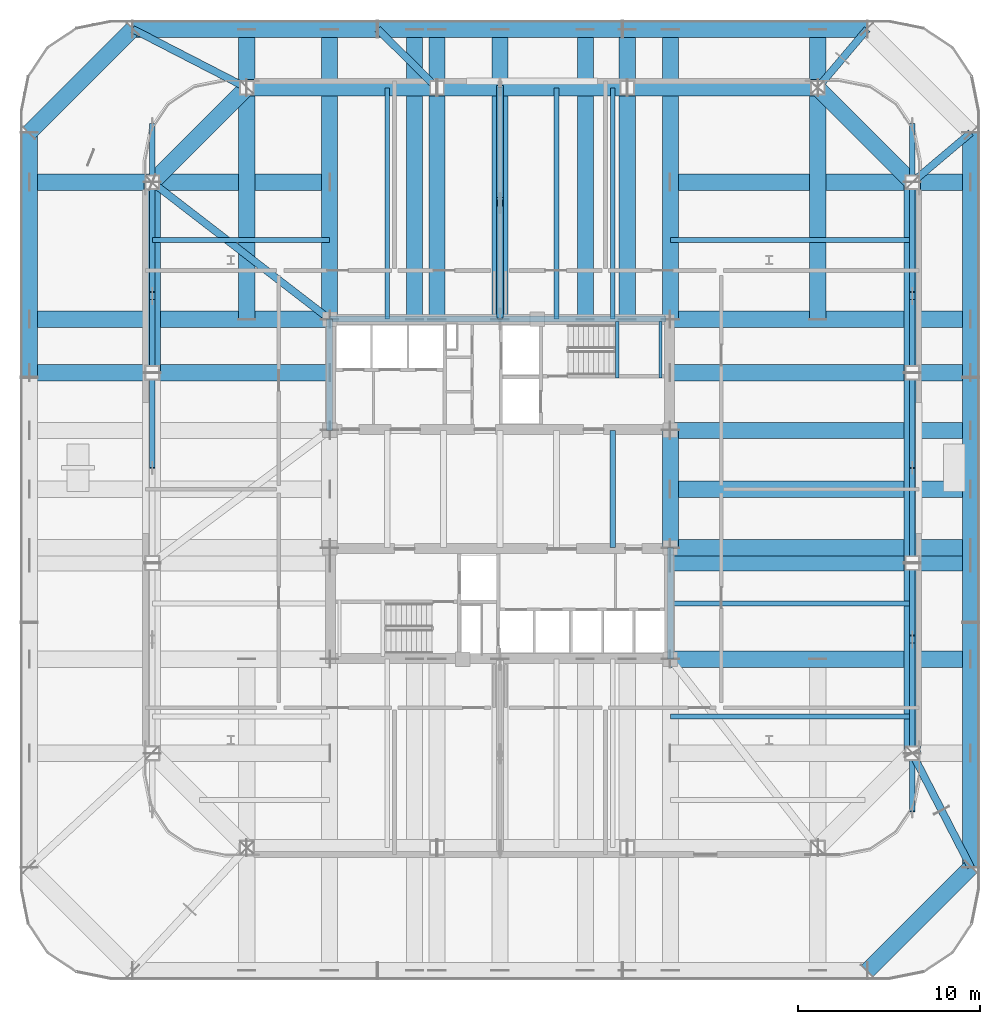
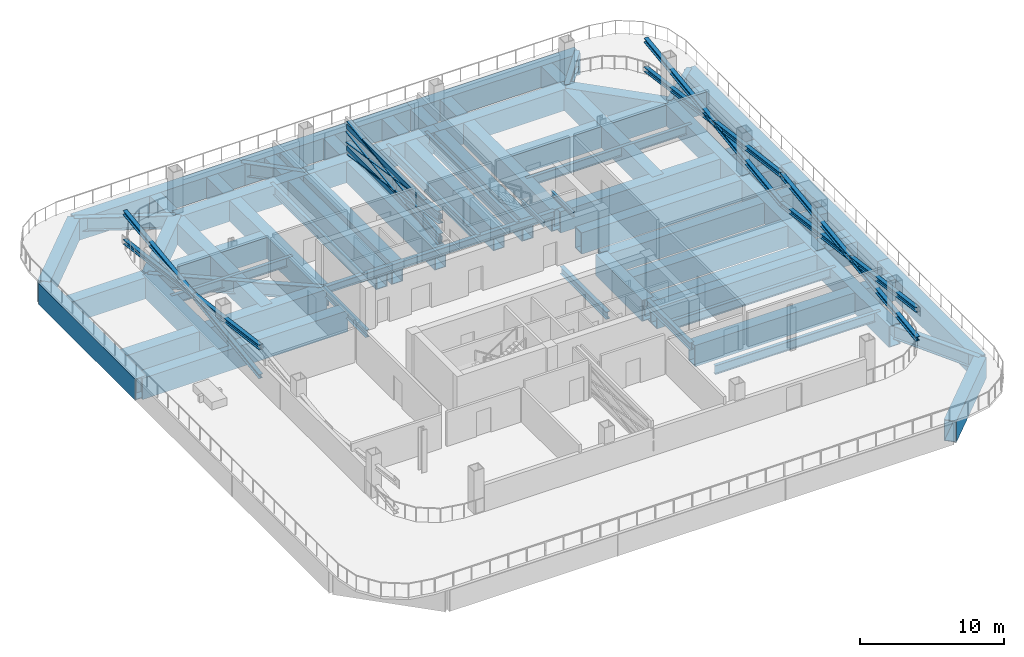
# One storey, part 2 of 16: 58 beams, 14 members.
"""IFC4 building model written with IfcOpenShell, lengths in metres."""

from ifc_helpers import new_model, si_unit, direction, frame, origin, origin_2d, place, context, subcontext, project, spatial, hollow_rectangle, i_section, extrude, material, material_profile, profile_set, type_object, element, save


model = new_model("IFC4")

# Units and contexts
model_context = context("Model", 3, precision=1e-05, world=origin(), true_north=direction((0.0, 1.0)))
body_context = subcontext(model_context, "Body", "Model", "MODEL_VIEW")
ifc_project = project(units=[si_unit("LENGTHUNIT", "METRE"), si_unit("AREAUNIT", "SQUARE_METRE"), si_unit("VOLUMEUNIT", "CUBIC_METRE"), si_unit("PLANEANGLEUNIT", "RADIAN"), si_unit("MASSUNIT", "GRAM", prefix="KILO")], contexts=[model_context])

# Site, building, storey
site_placement = place(None, origin())
site = spatial("IfcSite", under=ifc_project, at=site_placement, CompositionType="ELEMENT")
building_placement = place(site_placement, origin())
building = spatial("IfcBuilding", under=site, at=building_placement, Name="Qhalaya Broadcast Tower", CompositionType="ELEMENT")
storey_placement = place(building_placement, frame((0.0, 0.0, 57.89990234375)))
storey = spatial("IfcBuildingStorey", under=building, at=storey_placement, Name="L16", CompositionType="ELEMENT", Elevation=57.89990234375)

# Members
ifc_material_1 = material(Name="Structural Steel ASTM A572 Grade 50", Category="steel")
ifc_material_profile_1 = material_profile(ifc_material_1, i_section(OverallWidth=0.31298828125, OverallDepth=0.3798828125, WebThickness=0.01806640625, FlangeThickness=0.028076171875, at=origin_2d()), Name="W12X120")
ifc_profile_set_1 = profile_set([ifc_material_profile_1], Name="Structural Steel ASTM A572 Grade 50")
member_type_1 = type_object("IfcMemberType", Name="Belt-Truss Diagonal Brace OB2", PredefinedType="BRACE", material=ifc_profile_set_1)
member_1_placement = place(storey_placement, frame((-19.1298828125, 1.77001953125, 0.4501953125), z_axis=(0.0, 0.991500703308, 0.130101327204), x_axis=(-1.0, 0.0, 0.0)))
element("IfcMember", 1, at=member_1_placement, inside=storey, type_object=member_type_1, Name="L16 Belt Truss Continuous Brace W2A", PredefinedType="BRACE", context=body_context, shape_type="SweptSolid", body=[
    extrude(i_section(OverallWidth=0.31298828125, OverallDepth=0.3798828125, WebThickness=0.01806640625, FlangeThickness=0.028076171875, at=origin_2d()), origin(), (0.0, 0.0, 1.0), 19.06201171875),
])
for number, where, z_axis, x_axis, name in (
    (2, (-19.1298828125, 1.77001953125, 2.93017578125), (0.0, 0.991500106648, -0.130105874258), (-1.0, 0.0, 0.0), "L16 Belt Truss Split Brace W2B1"),
    (3, (-19.1298828125, 11.43798828125, 1.661376953125), (0.0, 0.991503488763, -0.130080097523), (-1.0, 0.0, 0.0), "L16 Belt Truss Split Brace W2B2"),
):
    element("IfcMember", number, at=place(storey_placement, frame(where, z_axis=z_axis, x_axis=x_axis)), inside=storey, type_object=member_type_1, Name=name, PredefinedType="BRACE", context=body_context, shape_type="SweptSolid", body=[
        extrude(i_section(OverallWidth=0.31298828125, OverallDepth=0.3798828125, WebThickness=0.01806640625, FlangeThickness=0.028076171875, at=origin_2d()), origin(), (0.0, 0.0, 1.0), 9.31103515625),
    ])
member_2_placement = place(storey_placement, frame((22.669921875, -17.1298828125, 0.4501953125), z_axis=(0.0, 0.991500703308, 0.130101327204), x_axis=(-1.0, 0.0, 0.0)))
element("IfcMember", 4, at=member_2_placement, inside=storey, type_object=member_type_1, Name="L16 Belt Truss Continuous Brace E1A", PredefinedType="BRACE", context=body_context, shape_type="SweptSolid", body=[
    extrude(i_section(OverallWidth=0.31298828125, OverallDepth=0.3798828125, WebThickness=0.01806640625, FlangeThickness=0.028076171875, at=origin_2d()), origin(), (0.0, 0.0, 1.0), 19.06201171875),
])
member_3_placement = place(storey_placement, frame((22.669921875, -17.1298828125, 2.93017578125), z_axis=(0.0, 0.991499662783, -0.130109256783), x_axis=(-1.0, 0.0, 0.0)))
element("IfcMember", 5, at=member_3_placement, inside=storey, type_object=member_type_1, Name="L16 Belt Truss Split Brace E1B1", PredefinedType="BRACE", context=body_context, shape_type="SweptSolid", body=[
    extrude(i_section(OverallWidth=0.31298828125, OverallDepth=0.3798828125, WebThickness=0.01806640625, FlangeThickness=0.028076171875, at=origin_2d()), origin(), (0.0, 0.0, 1.0), 9.310791015625),
])
member_4_placement = place(storey_placement, frame((22.669921875, -7.4619140625, 1.661376953125), z_axis=(0.0, 0.991503488763, -0.130080097523), x_axis=(-1.0, 0.0, 0.0)))
element("IfcMember", 6, at=member_4_placement, inside=storey, type_object=member_type_1, Name="L16 Belt Truss Split Brace E1B2", PredefinedType="BRACE", context=body_context, shape_type="SweptSolid", body=[
    extrude(i_section(OverallWidth=0.31298828125, OverallDepth=0.3798828125, WebThickness=0.01806640625, FlangeThickness=0.028076171875, at=origin_2d()), origin(), (0.0, 0.0, 1.0), 9.31103515625),
])
member_5_placement = place(storey_placement, frame((22.669921875, 1.77001953125, 0.4501953125), z_axis=(0.0, 0.991500703308, 0.130101327204), x_axis=(-1.0, 0.0, 0.0)))
element("IfcMember", 7, at=member_5_placement, inside=storey, type_object=member_type_1, Name="L16 Belt Truss Continuous Brace E2A", PredefinedType="BRACE", context=body_context, shape_type="SweptSolid", body=[
    extrude(i_section(OverallWidth=0.31298828125, OverallDepth=0.3798828125, WebThickness=0.01806640625, FlangeThickness=0.028076171875, at=origin_2d()), origin(), (0.0, 0.0, 1.0), 19.06201171875),
])
for number, where, z_axis, x_axis, name in (
    (8, (22.669921875, 1.77001953125, 2.93017578125), (0.0, 0.991500106648, -0.130105874258), (-1.0, 0.0, 0.0), "L16 Belt Truss Split Brace E2B1"),
    (9, (22.669921875, 11.43798828125, 1.661376953125), (0.0, 0.991503488763, -0.130080097523), (-1.0, 0.0, 0.0), "L16 Belt Truss Split Brace E2B2"),
):
    element("IfcMember", number, at=place(storey_placement, frame(where, z_axis=z_axis, x_axis=x_axis)), inside=storey, type_object=member_type_1, Name=name, PredefinedType="BRACE", context=body_context, shape_type="SweptSolid", body=[
        extrude(i_section(OverallWidth=0.31298828125, OverallDepth=0.3798828125, WebThickness=0.01806640625, FlangeThickness=0.028076171875, at=origin_2d()), origin(), (0.0, 0.0, 1.0), 9.31103515625),
    ])

# Beams
ifc_material_profile_2 = material_profile(ifc_material_1, hollow_rectangle(XDim=0.89990234375, YDim=1.800048828125, WallThickness=0.06005859375, at=origin_2d()), Name="BOX 900x1800x60")
ifc_profile_set_2 = profile_set([ifc_material_profile_2], Name="Structural Steel ASTM A572 Grade 50")
beam_type_1 = type_object("IfcBeamType", Name="Block Cantilever Transfer Box Girder TG1", PredefinedType="USERDEFINED", material=ifc_profile_set_2)
beam_1_placement = place(storey_placement, frame((22.669921875, -13.929931640625, -1.179931640625), z_axis=(0.0, 1.0, 0.0), x_axis=(-1.0, 0.0, 0.0)))
element("IfcBeam", 10, at=beam_1_placement, inside=storey, type_object=beam_type_1, Name="L16 TG1 L16-SPR-05", ObjectType="GIRDER", PredefinedType="USERDEFINED", context=body_context, shape_type="SweptSolid", body=[
    extrude(hollow_rectangle(XDim=0.89990234375, YDim=1.800048828125, WallThickness=0.06005859375, at=origin_2d()), origin(), (0.0, 0.0, 1.0), 10.466552734375),
])
beam_2_placement = place(storey_placement, frame((22.669921875, -3.46337890625, -1.179931640625), z_axis=(0.0, 1.0, 0.0), x_axis=(-1.0, 0.0, 0.0)))
element("IfcBeam", 11, at=beam_2_placement, inside=storey, type_object=beam_type_1, Name="L16 TG1 L16-SPR-06", ObjectType="GIRDER", PredefinedType="USERDEFINED", context=body_context, shape_type="SweptSolid", body=[
    extrude(hollow_rectangle(XDim=0.89990234375, YDim=1.800048828125, WallThickness=0.06005859375, at=origin_2d()), origin(), (0.0, 0.0, 1.0), 10.466796875),
])
beam_3_placement = place(storey_placement, frame((22.669921875, 7.00341796875, -1.179931640625), z_axis=(0.0, 1.0, 0.0), x_axis=(-1.0, 0.0, 0.0)))
element("IfcBeam", 12, at=beam_3_placement, inside=storey, type_object=beam_type_1, Name="L16 TG1 L16-SPR-07", ObjectType="GIRDER", PredefinedType="USERDEFINED", context=body_context, shape_type="SweptSolid", body=[
    extrude(hollow_rectangle(XDim=0.89990234375, YDim=1.800048828125, WallThickness=0.06005859375, at=origin_2d()), origin(), (0.0, 0.0, 1.0), 10.466552734375),
])
beam_4_placement = place(storey_placement, frame((22.669921875, 17.469970703125, -1.179931640625), z_axis=(-0.707106781187, 0.707106781187, 0.0), x_axis=(-0.707106781187, -0.707106781187, 0.0)))
element("IfcBeam", 13, at=beam_4_placement, inside=storey, type_object=beam_type_1, Name="L16 TG1 L16-SPR-08", ObjectType="GIRDER", PredefinedType="USERDEFINED", context=body_context, shape_type="SweptSolid", body=[
    extrude(hollow_rectangle(XDim=0.89990234375, YDim=1.800048828125, WallThickness=0.06005859375, at=origin_2d()), origin(), (0.0, 0.0, 1.0), 7.353759765625),
])
beam_5_placement = place(storey_placement, frame((17.469970703125, 22.669921875, -1.179931640625), z_axis=(-1.0, 0.0, 0.0), x_axis=(0.0, -1.0, 0.0)))
element("IfcBeam", 14, at=beam_5_placement, inside=storey, type_object=beam_type_1, Name="L16 TG1 L16-SPR-09", ObjectType="GIRDER", PredefinedType="USERDEFINED", context=body_context, shape_type="SweptSolid", body=[
    extrude(hollow_rectangle(XDim=0.89990234375, YDim=1.800048828125, WallThickness=0.06005859375, at=origin_2d()), origin(), (0.0, 0.0, 1.0), 10.466552734375),
])
beam_6_placement = place(storey_placement, frame((7.00341796875, 22.669921875, -1.179931640625), z_axis=(-1.0, 0.0, 0.0), x_axis=(0.0, -1.0, 0.0)))
element("IfcBeam", 15, at=beam_6_placement, inside=storey, type_object=beam_type_1, Name="L16 TG1 L16-SPR-10", ObjectType="GIRDER", PredefinedType="USERDEFINED", context=body_context, shape_type="SweptSolid", body=[
    extrude(hollow_rectangle(XDim=0.89990234375, YDim=1.800048828125, WallThickness=0.06005859375, at=origin_2d()), origin(), (0.0, 0.0, 1.0), 10.466796875),
])
beam_7_placement = place(storey_placement, frame((-3.46337890625, 22.669921875, -1.179931640625), z_axis=(-1.0, 0.0, 0.0), x_axis=(0.0, -1.0, 0.0)))
element("IfcBeam", 16, at=beam_7_placement, inside=storey, type_object=beam_type_1, Name="L16 TG1 L16-SPR-11", ObjectType="GIRDER", PredefinedType="USERDEFINED", context=body_context, shape_type="SweptSolid", body=[
    extrude(hollow_rectangle(XDim=0.89990234375, YDim=1.800048828125, WallThickness=0.06005859375, at=origin_2d()), origin(), (0.0, 0.0, 1.0), 10.466552734375),
])
beam_8_placement = place(storey_placement, frame((-13.929931640625, 22.669921875, -1.179931640625), z_axis=(-0.707106781187, -0.707106781187, 0.0), x_axis=(0.707106781187, -0.707106781187, 0.0)))
element("IfcBeam", 17, at=beam_8_placement, inside=storey, type_object=beam_type_1, Name="L16 TG1 L16-SPR-12", ObjectType="GIRDER", PredefinedType="USERDEFINED", context=body_context, shape_type="SweptSolid", body=[
    extrude(hollow_rectangle(XDim=0.89990234375, YDim=1.800048828125, WallThickness=0.06005859375, at=origin_2d()), origin(), (0.0, 0.0, 1.0), 7.353759765625),
])
beam_9_placement = place(storey_placement, frame((-19.1298828125, 17.469970703125, -1.179931640625), z_axis=(0.0, -1.0, 0.0), x_axis=(1.0, 0.0, 0.0)))
element("IfcBeam", 18, at=beam_9_placement, inside=storey, type_object=beam_type_1, Name="L16 TG1 L16-SPR-13", ObjectType="GIRDER", PredefinedType="USERDEFINED", context=body_context, shape_type="SweptSolid", body=[
    extrude(hollow_rectangle(XDim=0.89990234375, YDim=1.800048828125, WallThickness=0.06005859375, at=origin_2d()), origin(), (0.0, 0.0, 1.0), 10.466552734375),
])
beam_10_placement = place(storey_placement, frame((20.199951171875, -25.89990234375, -1.179931640625), z_axis=(0.707106781187, 0.707106781187, 0.0), x_axis=(-0.707106781187, 0.707106781187, 0.0)))
element("IfcBeam", 19, at=beam_10_placement, inside=storey, type_object=beam_type_1, Name="L16 TG1 L16-TGL-04", ObjectType="GIRDER", PredefinedType="USERDEFINED", context=body_context, shape_type="SweptSolid", body=[
    extrude(hollow_rectangle(XDim=0.89990234375, YDim=1.800048828125, WallThickness=0.06005859375, at=origin_2d()), origin(), (0.0, 0.0, 1.0), 8.06103515625),
])
beam_11_placement = place(storey_placement, frame((25.89990234375, -20.199951171875, -1.179931640625), z_axis=(0.0, 1.0, 0.0), x_axis=(-1.0, 0.0, 0.0)))
element("IfcBeam", 20, at=beam_11_placement, inside=storey, type_object=beam_type_1, Name="L16 TG1 L16-TGL-05", ObjectType="GIRDER", PredefinedType="USERDEFINED", context=body_context, shape_type="SweptSolid", body=[
    extrude(hollow_rectangle(XDim=0.89990234375, YDim=1.800048828125, WallThickness=0.06005859375, at=origin_2d()), origin(), (0.0, 0.0, 1.0), 13.466552734375),
])
beam_12_placement = place(storey_placement, frame((25.89990234375, -6.7333984375, -1.179931640625), z_axis=(0.0, 1.0, 0.0), x_axis=(-1.0, 0.0, 0.0)))
element("IfcBeam", 21, at=beam_12_placement, inside=storey, type_object=beam_type_1, Name="L16 TG1 L16-TGL-06", ObjectType="GIRDER", PredefinedType="USERDEFINED", context=body_context, shape_type="SweptSolid", body=[
    extrude(hollow_rectangle(XDim=0.89990234375, YDim=1.800048828125, WallThickness=0.06005859375, at=origin_2d()), origin(), (0.0, 0.0, 1.0), 13.466796875),
])
for number, where, z_axis, x_axis, name in (
    (22, (25.89990234375, 6.7333984375, -1.179931640625), (0.0, 1.0, 0.0), (-1.0, 0.0, 0.0), "L16 TG1 L16-TGL-07"),
    (23, (20.199951171875, 25.89990234375, -1.179931640625), (-1.0, 0.0, 0.0), (0.0, -1.0, 0.0), "L16 TG1 L16-TGL-09"),
):
    element("IfcBeam", number, at=place(storey_placement, frame(where, z_axis=z_axis, x_axis=x_axis)), inside=storey, type_object=beam_type_1, Name=name, ObjectType="GIRDER", PredefinedType="USERDEFINED", context=body_context, shape_type="SweptSolid", body=[
        extrude(hollow_rectangle(XDim=0.89990234375, YDim=1.800048828125, WallThickness=0.06005859375, at=origin_2d()), origin(), (0.0, 0.0, 1.0), 13.466552734375),
    ])
beam_13_placement = place(storey_placement, frame((6.7333984375, 25.89990234375, -1.179931640625), z_axis=(-1.0, 0.0, 0.0), x_axis=(0.0, -1.0, 0.0)))
element("IfcBeam", 24, at=beam_13_placement, inside=storey, type_object=beam_type_1, Name="L16 TG1 L16-TGL-10", ObjectType="GIRDER", PredefinedType="USERDEFINED", context=body_context, shape_type="SweptSolid", body=[
    extrude(hollow_rectangle(XDim=0.89990234375, YDim=1.800048828125, WallThickness=0.06005859375, at=origin_2d()), origin(), (0.0, 0.0, 1.0), 13.466796875),
])
beam_14_placement = place(storey_placement, frame((-6.7333984375, 25.89990234375, -1.179931640625), z_axis=(-1.0, 0.0, 0.0), x_axis=(0.0, -1.0, 0.0)))
element("IfcBeam", 25, at=beam_14_placement, inside=storey, type_object=beam_type_1, Name="L16 TG1 L16-TGL-11", ObjectType="GIRDER", PredefinedType="USERDEFINED", context=body_context, shape_type="SweptSolid", body=[
    extrude(hollow_rectangle(XDim=0.89990234375, YDim=1.800048828125, WallThickness=0.06005859375, at=origin_2d()), origin(), (0.0, 0.0, 1.0), 13.466552734375),
])
beam_15_placement = place(storey_placement, frame((-20.199951171875, 25.89990234375, -1.179931640625), z_axis=(-0.707106781187, -0.707106781187, 0.0), x_axis=(0.707106781187, -0.707106781187, 0.0)))
element("IfcBeam", 26, at=beam_15_placement, inside=storey, type_object=beam_type_1, Name="L16 TG1 L16-TGL-12", ObjectType="GIRDER", PredefinedType="USERDEFINED", context=body_context, shape_type="SweptSolid", body=[
    extrude(hollow_rectangle(XDim=0.89990234375, YDim=1.800048828125, WallThickness=0.06005859375, at=origin_2d()), origin(), (0.0, 0.0, 1.0), 8.06103515625),
])
beam_16_placement = place(storey_placement, frame((-25.89990234375, 20.199951171875, -1.179931640625), z_axis=(0.0, -1.0, 0.0), x_axis=(1.0, 0.0, 0.0)))
element("IfcBeam", 27, at=beam_16_placement, inside=storey, type_object=beam_type_1, Name="L16 TG1 L16-TGL-13", ObjectType="GIRDER", PredefinedType="USERDEFINED", context=body_context, shape_type="SweptSolid", body=[
    extrude(hollow_rectangle(XDim=0.89990234375, YDim=1.800048828125, WallThickness=0.06005859375, at=origin_2d()), origin(), (0.0, 0.0, 1.0), 13.466552734375),
])
for number, where, z_axis, x_axis, name in (
    (28, (-9.375, 9.949951171875, -1.179931640625), (0.0, 1.0, 0.0), (-1.0, 0.0, 0.0), "L16 TG1 L16-TGINW-1"),
    (29, (9.375, 9.949951171875, -1.179931640625), (0.0, 1.0, 0.0), (-1.0, 0.0, 0.0), "L16 TG1 L16-TGINE-1"),
    (30, (0.0, 9.949951171875, -1.179931640625), (0.0, 1.0, 0.0), (-1.0, 0.0, 0.0), "L16 TG1 L16-TGIMN-1"),
    (31, (-4.699951171875, 9.949951171875, -1.179931640625), (0.0, 1.0, 0.0), (-1.0, 0.0, 0.0), "L16 TG1 L16-TGIMNW-1"),
    (32, (4.699951171875, 9.949951171875, -1.179931640625), (0.0, 1.0, 0.0), (-1.0, 0.0, 0.0), "L16 TG1 L16-TGIMNE-1"),
):
    element("IfcBeam", number, at=place(storey_placement, frame(where, z_axis=z_axis, x_axis=x_axis)), inside=storey, type_object=beam_type_1, Name=name, ObjectType="GIRDER", PredefinedType="USERDEFINED", context=body_context, shape_type="SweptSolid", body=[
        extrude(hollow_rectangle(XDim=0.89990234375, YDim=1.800048828125, WallThickness=0.06005859375, at=origin_2d()), origin(), (0.0, 0.0, 1.0), 15.91015625),
    ])
beam_17_placement = place(storey_placement, frame((9.375, 0.60009765625, -1.179931640625), z_axis=(1.0, 0.0, 0.0), x_axis=(0.0, 1.0, 0.0)))
element("IfcBeam", 33, at=beam_17_placement, inside=storey, type_object=beam_type_1, Name="L16 TG1 L16-TGIYE-1", ObjectType="GIRDER", PredefinedType="USERDEFINED", context=body_context, shape_type="SweptSolid", body=[
    extrude(hollow_rectangle(XDim=0.89990234375, YDim=1.800048828125, WallThickness=0.06005859375, at=origin_2d()), origin(), (0.0, 0.0, 1.0), 16.485107421875),
])
beam_18_placement = place(storey_placement, frame((9.375, -2.625, -1.179931640625), z_axis=(0.0, 1.0, 0.0), x_axis=(-1.0, 0.0, 0.0)))
element("IfcBeam", 34, at=beam_18_placement, inside=storey, type_object=beam_type_1, Name="L16 TG1 L16-TGIME-1", ObjectType="GIRDER", PredefinedType="USERDEFINED", context=body_context, shape_type="SweptSolid", body=[
    extrude(hollow_rectangle(XDim=0.89990234375, YDim=1.800048828125, WallThickness=0.06005859375, at=origin_2d()), origin(), (0.0, 0.0, 1.0), 6.449951171875),
])
for number, where, z_axis, x_axis, name in (
    (35, (9.375, -8.75, -1.179931640625), (1.0, 0.0, 0.0), (0.0, 1.0, 0.0), "L16 TG1 L16-TGIY1E-1"),
    (36, (9.375, -2.625, -1.179931640625), (1.0, 0.0, 0.0), (0.0, 1.0, 0.0), "L16 TG1 L16-TGIY2E-1"),
    (37, (9.375, 3.824951171875, -1.179931640625), (1.0, 0.0, 0.0), (0.0, 1.0, 0.0), "L16 TG1 L16-TGIY3E-1"),
    (38, (-25.860107421875, 9.949951171875, -1.179931640625), (1.0, 0.0, 0.0), (0.0, 1.0, 0.0), "L16 TG1 L16-TGIY4W-1"),
    (39, (9.375, 9.949951171875, -1.179931640625), (1.0, 0.0, 0.0), (0.0, 1.0, 0.0), "L16 TG1 L16-TGIY4E-1"),
    (40, (9.375, -3.46337890625, -1.179931640625), (1.0, 0.0, 0.0), (0.0, 1.0, 0.0), "L16 Spanning Transfer Box Girder 06"),
    (41, (9.375, 7.00341796875, -1.179931640625), (1.0, 0.0, 0.0), (0.0, 1.0, 0.0), "L16 Spanning Transfer Box Girder 07"),
    (42, (9.375, 17.469970703125, -1.179931640625), (1.0, 0.0, 0.0), (0.0, 1.0, 0.0), "L16 Spanning Transfer Box Girder 08"),
):
    element("IfcBeam", number, at=place(storey_placement, frame(where, z_axis=z_axis, x_axis=x_axis)), inside=storey, type_object=beam_type_1, Name=name, ObjectType="GIRDER", PredefinedType="USERDEFINED", context=body_context, shape_type="SweptSolid", body=[
        extrude(hollow_rectangle(XDim=0.89990234375, YDim=1.800048828125, WallThickness=0.06005859375, at=origin_2d()), origin(), (0.0, 0.0, 1.0), 16.485107421875),
    ])
for number, where, z_axis, x_axis, name in (
    (43, (17.469970703125, 9.949951171875, -1.179931640625), (0.0, 1.0, 0.0), (-1.0, 0.0, 0.0), "L16 Spanning Transfer Box Girder 09"),
    (44, (7.00341796875, 9.949951171875, -1.179931640625), (0.0, 1.0, 0.0), (-1.0, 0.0, 0.0), "L16 Spanning Transfer Box Girder 10"),
    (45, (-3.46337890625, 9.949951171875, -1.179931640625), (0.0, 1.0, 0.0), (-1.0, 0.0, 0.0), "L16 Spanning Transfer Box Girder 11"),
    (46, (-13.929931640625, 9.949951171875, -1.179931640625), (0.0, 1.0, 0.0), (-1.0, 0.0, 0.0), "L16 Spanning Transfer Box Girder 12"),
):
    element("IfcBeam", number, at=place(storey_placement, frame(where, z_axis=z_axis, x_axis=x_axis)), inside=storey, type_object=beam_type_1, Name=name, ObjectType="GIRDER", PredefinedType="USERDEFINED", context=body_context, shape_type="SweptSolid", body=[
        extrude(hollow_rectangle(XDim=0.89990234375, YDim=1.800048828125, WallThickness=0.06005859375, at=origin_2d()), origin(), (0.0, 0.0, 1.0), 15.91015625),
    ])
for number, where, z_axis, x_axis, name in (
    (47, (-25.860107421875, 17.469970703125, -1.179931640625), (1.0, 0.0, 0.0), (0.0, 1.0, 0.0), "L16 Spanning Transfer Box Girder 13"),
    (48, (-25.860107421875, 7.00341796875, -1.179931640625), (1.0, 0.0, 0.0), (0.0, 1.0, 0.0), "L16 Spanning Transfer Box Girder 14"),
):
    element("IfcBeam", number, at=place(storey_placement, frame(where, z_axis=z_axis, x_axis=x_axis)), inside=storey, type_object=beam_type_1, Name=name, ObjectType="GIRDER", PredefinedType="USERDEFINED", context=body_context, shape_type="SweptSolid", body=[
        extrude(hollow_rectangle(XDim=0.89990234375, YDim=1.800048828125, WallThickness=0.06005859375, at=origin_2d()), origin(), (0.0, 0.0, 1.0), 16.485107421875),
    ])
ifc_material_2 = material(Name="Structural Steel ASTM A992 Grade 50", Category="steel")
ifc_material_profile_3 = material_profile(ifc_material_2, i_section(OverallWidth=0.323974609375, OverallDepth=0.612060546875, WebThickness=0.0126953125, FlangeThickness=0.01904296875, at=origin_2d()), Name="W24X104")
ifc_profile_set_3 = profile_set([ifc_material_profile_3], Name="Structural Steel ASTM A992 Grade 50")
beam_type_2 = type_object("IfcBeamType", Name="Core Frame Tie Beam B04", PredefinedType="BEAM", material=ifc_profile_set_3)
beam_19_placement = place(storey_placement, frame((-9.375, 3.824951171875, -0.5859375), z_axis=(0.0, 1.0, 0.0), x_axis=(-1.0, 0.0, 0.0)))
element("IfcBeam", 49, at=beam_19_placement, inside=storey, type_object=beam_type_2, Name="L16 B04 L16-CCN2", PredefinedType="BEAM", context=body_context, shape_type="SweptSolid", body=[
    extrude(i_section(OverallWidth=0.323974609375, OverallDepth=0.612060546875, WebThickness=0.0126953125, FlangeThickness=0.01904296875, at=origin_2d()), origin(), (0.0, 0.0, 1.0), 6.125),
])
beam_20_placement = place(storey_placement, frame((-9.375, 9.949951171875, -0.5859375), z_axis=(1.0, 0.0, 0.0), x_axis=(0.0, 1.0, 0.0)))
element("IfcBeam", 50, at=beam_20_placement, inside=storey, type_object=beam_type_2, Name="L16 B04 L16-CCN3", PredefinedType="BEAM", context=body_context, shape_type="SweptSolid", body=[
    extrude(i_section(OverallWidth=0.323974609375, OverallDepth=0.612060546875, WebThickness=0.0126953125, FlangeThickness=0.01904296875, at=origin_2d()), origin(), (0.0, 0.0, 1.0), 18.4951171875),
])
beam_21_placement = place(storey_placement, frame((9.375, -8.75, -0.5859375), z_axis=(0.0, 1.0, 0.0), x_axis=(-1.0, 0.0, 0.0)))
element("IfcBeam", 51, at=beam_21_placement, inside=storey, type_object=beam_type_2, Name="L16 B04 L16-CCS2", PredefinedType="BEAM", context=body_context, shape_type="SweptSolid", body=[
    extrude(i_section(OverallWidth=0.323974609375, OverallDepth=0.612060546875, WebThickness=0.0126953125, FlangeThickness=0.01904296875, at=origin_2d()), origin(), (0.0, 0.0, 1.0), 6.125),
])
beam_22_placement = place(storey_placement, frame((6.199951171875, -2.625, -0.5859375), z_axis=(0.0, 1.0, 0.0), x_axis=(-1.0, 0.0, 0.0)))
element("IfcBeam", 52, at=beam_22_placement, inside=storey, type_object=beam_type_2, Name="L16 B04 L16-JC5-1", PredefinedType="BEAM", context=body_context, shape_type="SweptSolid", body=[
    extrude(i_section(OverallWidth=0.323974609375, OverallDepth=0.612060546875, WebThickness=0.0126953125, FlangeThickness=0.01904296875, at=origin_2d()), origin(), (0.0, 0.0, 1.0), 6.449951171875),
])

# Members
ifc_material_profile_4 = material_profile(ifc_material_1, i_section(OverallWidth=0.40087890625, OverallDepth=1.0009765625, WebThickness=0.01904296875, FlangeThickness=0.0361328125, at=origin_2d()), Name="W40X249")
ifc_profile_set_4 = profile_set([ifc_material_profile_4], Name="Structural Steel ASTM A572 Grade 50")
member_type_2 = type_object("IfcMemberType", Name="Core-to-Perimeter Outrigger Brace OB1", PredefinedType="BRACE", material=ifc_profile_set_4)
member_6_placement = place(storey_placement, frame((0.0, 9.949951171875, 0.4501953125), z_axis=(0.0, 0.989670210914, 0.143362734449), x_axis=(-1.0, 0.0, 0.0)))
element("IfcMember", 53, at=member_6_placement, inside=storey, type_object=member_type_2, Name="L16 Outrigger Continuous Diagonal NCA", PredefinedType="BRACE", context=body_context, shape_type="SweptSolid", body=[
    extrude(i_section(OverallWidth=0.40087890625, OverallDepth=1.0009765625, WebThickness=0.01904296875, FlangeThickness=0.0361328125, at=origin_2d()), origin(), (0.0, 0.0, 1.0), 12.9033203125),
])
for number, where, z_axis, x_axis, name in (
    (54, (0.0, 9.949951171875, 2.300048828125), (0.0, 0.989667713042, -0.143379976854), (-1.0, 0.0, 0.0), "L16 Outrigger Split Diagonal NCB1"),
    (55, (0.0, 16.572509765625, 1.340576171875), (0.0, 0.989673289465, -0.143341480805), (-1.0, 0.0, 0.0), "L16 Outrigger Split Diagonal NCB2"),
):
    element("IfcMember", number, at=place(storey_placement, frame(where, z_axis=z_axis, x_axis=x_axis)), inside=storey, type_object=member_type_2, Name=name, PredefinedType="BRACE", context=body_context, shape_type="SweptSolid", body=[
        extrude(i_section(OverallWidth=0.40087890625, OverallDepth=1.0009765625, WebThickness=0.01904296875, FlangeThickness=0.0361328125, at=origin_2d()), origin(), (0.0, 0.0, 1.0), 6.211669921875),
    ])
ifc_material_profile_5 = material_profile(ifc_material_1, hollow_rectangle(XDim=0.300048828125, YDim=0.39990234375, WallThickness=0.02001953125, at=origin_2d()), Name="HSS 300x400x20")
ifc_profile_set_5 = profile_set([ifc_material_profile_5], Name="Structural Steel ASTM A572 Grade 50")
member_type_3 = type_object("IfcMemberType", Name="Outrigger & Belt-Truss Chord CH1", PredefinedType="CHORD", material=ifc_profile_set_5)
for number, where, z_axis, x_axis, name in (
    (56, (0.0, 9.949951171875, 0.4501953125), (0.0, 1.0, 0.0), (-1.0, 0.0, 0.0), "L16 Outrigger Bottom Chord NC"),
    (57, (0.0, 9.949951171875, 2.300048828125), (0.0, 1.0, 0.0), (-1.0, 0.0, 0.0), "L16 Outrigger Top Chord NC"),
):
    element("IfcMember", number, at=place(storey_placement, frame(where, z_axis=z_axis, x_axis=x_axis)), inside=storey, type_object=member_type_3, Name=name, PredefinedType="CHORD", context=body_context, shape_type="SweptSolid", body=[
        extrude(hollow_rectangle(XDim=0.300048828125, YDim=0.39990234375, WallThickness=0.02001953125, at=origin_2d()), origin(), (0.0, 0.0, 1.0), 12.77001953125),
    ])

# Beams
ifc_material_profile_6 = material_profile(ifc_material_2, i_section(OverallWidth=0.26708984375, OverallDepth=0.761962890625, WebThickness=0.014404296875, FlangeThickness=0.021484375, at=origin_2d()), Name="W30X116")
ifc_profile_set_6 = profile_set([ifc_material_profile_6], Name="Structural Steel ASTM A992 Grade 50")
beam_type_3 = type_object("IfcBeamType", Name="Plant & Server Floor Beam B02", PredefinedType="BEAM", material=ifc_profile_set_6)
for number, where, z_axis, x_axis, name in (
    (58, (-6.199951171875, 9.949951171875, -0.660888671875), (0.0, 1.0, 0.0), (-1.0, 0.0, 0.0), "L16 B02 L16-JNN1-1"),
    (59, (3.10009765625, 9.949951171875, -0.660888671875), (0.0, 1.0, 0.0), (-1.0, 0.0, 0.0), "L16 B02 L16-JNN4-1"),
    (60, (6.199951171875, 9.949951171875, -0.660888671875), (0.0, 1.0, 0.0), (-1.0, 0.0, 0.0), "L16 B02 L16-JNN5-1"),
):
    element("IfcBeam", number, at=place(storey_placement, frame(where, z_axis=z_axis, x_axis=x_axis)), inside=storey, type_object=beam_type_3, Name=name, PredefinedType="BEAM", context=body_context, shape_type="SweptSolid", body=[
        extrude(i_section(OverallWidth=0.26708984375, OverallDepth=0.761962890625, WebThickness=0.014404296875, FlangeThickness=0.021484375, at=origin_2d()), origin(), (0.0, 0.0, 1.0), 12.699951171875),
    ])
for number, where, z_axis, x_axis, name in (
    (61, (9.375, -11.89990234375, -0.660888671875), (1.0, 0.0, 0.0), (0.0, 1.0, 0.0), "L16 B02 L16-JWE2E-1"),
    (62, (9.375, -5.699951171875, -0.660888671875), (1.0, 0.0, 0.0), (0.0, 1.0, 0.0), "L16 B02 L16-JWE3E-1"),
):
    element("IfcBeam", number, at=place(storey_placement, frame(where, z_axis=z_axis, x_axis=x_axis)), inside=storey, type_object=beam_type_3, Name=name, PredefinedType="BEAM", context=body_context, shape_type="SweptSolid", body=[
        extrude(i_section(OverallWidth=0.26708984375, OverallDepth=0.761962890625, WebThickness=0.014404296875, FlangeThickness=0.021484375, at=origin_2d()), origin(), (0.0, 0.0, 1.0), 13.27490234375),
    ])
beam_23_placement = place(storey_placement, frame((-19.110107421875, 14.300048828125, -0.660888671875), z_axis=(1.0, 0.0, 0.0), x_axis=(0.0, 1.0, 0.0)))
element("IfcBeam", 63, at=beam_23_placement, inside=storey, type_object=beam_type_3, Name="L16 B02 L16-JWE6W-1", PredefinedType="BEAM", context=body_context, shape_type="SweptSolid", body=[
    extrude(i_section(OverallWidth=0.26708984375, OverallDepth=0.761962890625, WebThickness=0.014404296875, FlangeThickness=0.021484375, at=origin_2d()), origin(), (0.0, 0.0, 1.0), 9.735107421875),
])
beam_24_placement = place(storey_placement, frame((9.375, 14.300048828125, -0.660888671875), z_axis=(1.0, 0.0, 0.0), x_axis=(0.0, 1.0, 0.0)))
element("IfcBeam", 64, at=beam_24_placement, inside=storey, type_object=beam_type_3, Name="L16 B02 L16-JWE6E-1", PredefinedType="BEAM", context=body_context, shape_type="SweptSolid", body=[
    extrude(i_section(OverallWidth=0.26708984375, OverallDepth=0.761962890625, WebThickness=0.014404296875, FlangeThickness=0.021484375, at=origin_2d()), origin(), (0.0, 0.0, 1.0), 13.27490234375),
])
ifc_material_profile_7 = material_profile(ifc_material_2, i_section(OverallWidth=0.404052734375, OverallDepth=1.117919921875, WebThickness=0.026123046875, FlangeThickness=0.044921875, at=origin_2d()), Name="W44X335")
ifc_profile_set_7 = profile_set([ifc_material_profile_7], Name="Structural Steel ASTM A992 Grade 50")
beam_type_4 = type_object("IfcBeamType", Name="Podium Long-Span Primary Girder PG1", PredefinedType="USERDEFINED", material=ifc_profile_set_7)
beam_25_placement = place(storey_placement, frame((25.89990234375, -20.199951171875, -0.8388671875), z_axis=(-0.457953273889, 0.888976264551, 0.0), x_axis=(-0.888976264551, -0.457953273889, 0.0)))
element("IfcBeam", 65, at=beam_25_placement, inside=storey, type_object=beam_type_4, Name="L16 Column-to-Column Moment Tie Girder 05-1", ObjectType="GIRDER", PredefinedType="USERDEFINED", context=body_context, shape_type="SweptSolid", body=[
    extrude(i_section(OverallWidth=0.404052734375, OverallDepth=1.117919921875, WebThickness=0.026123046875, FlangeThickness=0.044921875, at=origin_2d()), origin(), (0.0, 0.0, 1.0), 7.052978515625),
])
for number, where, z_axis, x_axis, name in (
    (66, (25.89990234375, 20.199951171875, -0.8388671875), (-0.763745277173, -0.64551773918, 0.0), (0.64551773918, -0.763745277173, 0.0), "L16 Column-to-Column Moment Tie Girder 08-1"),
    (67, (20.199951171875, 25.89990234375, -0.8388671875), (-0.64551773918, -0.763745277173, 0.0), (0.763745277173, -0.64551773918, 0.0), "L16 Column-to-Column Moment Tie Girder 09-1"),
):
    element("IfcBeam", number, at=place(storey_placement, frame(where, z_axis=z_axis, x_axis=x_axis)), inside=storey, type_object=beam_type_4, Name=name, ObjectType="GIRDER", PredefinedType="USERDEFINED", context=body_context, shape_type="SweptSolid", body=[
        extrude(i_section(OverallWidth=0.404052734375, OverallDepth=1.117919921875, WebThickness=0.026123046875, FlangeThickness=0.044921875, at=origin_2d()), origin(), (0.0, 0.0, 1.0), 4.229248046875),
    ])
beam_26_placement = place(storey_placement, frame((-6.7333984375, 25.89990234375, -0.8388671875), z_axis=(0.711448959553, -0.702737773249, 0.0), x_axis=(0.702737773249, 0.711448959553, 0.0)))
element("IfcBeam", 68, at=beam_26_placement, inside=storey, type_object=beam_type_4, Name="L16 Column-to-Column Moment Tie Girder 11-1", ObjectType="GIRDER", PredefinedType="USERDEFINED", context=body_context, shape_type="SweptSolid", body=[
    extrude(i_section(OverallWidth=0.404052734375, OverallDepth=1.117919921875, WebThickness=0.026123046875, FlangeThickness=0.044921875, at=origin_2d()), origin(), (0.0, 0.0, 1.0), 4.59619140625),
])
beam_27_placement = place(storey_placement, frame((-20.199951171875, 25.89990234375, -0.8388671875), z_axis=(0.888976264551, -0.457953273889, 0.0), x_axis=(0.457953273889, 0.888976264551, 0.0)))
element("IfcBeam", 69, at=beam_27_placement, inside=storey, type_object=beam_type_4, Name="L16 Column-to-Column Moment Tie Girder 12-1", ObjectType="GIRDER", PredefinedType="USERDEFINED", context=body_context, shape_type="SweptSolid", body=[
    extrude(i_section(OverallWidth=0.404052734375, OverallDepth=1.117919921875, WebThickness=0.026123046875, FlangeThickness=0.044921875, at=origin_2d()), origin(), (0.0, 0.0, 1.0), 7.052978515625),
])
beam_28_placement = place(storey_placement, frame((-9.375, 9.949951171875, -0.8388671875), z_axis=(-0.791985437285, 0.610539979959, 0.0), x_axis=(-0.610539979959, -0.791985437285, 0.0)))
element("IfcBeam", 70, at=beam_28_placement, inside=storey, type_object=beam_type_4, Name="L16 Column-to-Column Moment Tie Girder 13-1", ObjectType="GIRDER", PredefinedType="USERDEFINED", context=body_context, shape_type="SweptSolid", body=[
    extrude(i_section(OverallWidth=0.404052734375, OverallDepth=1.117919921875, WebThickness=0.026123046875, FlangeThickness=0.044921875, at=origin_2d()), origin(), (0.0, 0.0, 1.0), 12.31689453125),
])
ifc_material_profile_8 = material_profile(ifc_material_2, i_section(OverallWidth=0.177978515625, OverallDepth=0.406005859375, WebThickness=0.0078125, FlangeThickness=0.0126953125, at=origin_2d()), Name="W16X40")
ifc_profile_set_8 = profile_set([ifc_material_profile_8], Name="Structural Steel ASTM A992 Grade 50")
beam_type_5 = type_object("IfcBeamType", Name="Upper Perimeter Spandrel Beam SP2", PredefinedType="SPANDREL", material=ifc_profile_set_8)
for number, where, z_axis, x_axis, name in (
    (71, (6.455078125, 6.699951171875, 1.397216796875), (0.0, 1.0, 0.0), (-1.0, 0.0, 0.0), "L16 ST-1 Half-Landing Bearer Beam 1"),
    (72, (8.830078125, 6.699951171875, 1.397216796875), (0.0, 1.0, 0.0), (-1.0, 0.0, 0.0), "L16 ST-1 Half-Landing Bearer Beam 2"),
):
    element("IfcBeam", number, at=place(storey_placement, frame(where, z_axis=z_axis, x_axis=x_axis)), inside=storey, type_object=beam_type_5, Name=name, PredefinedType="SPANDREL", context=body_context, shape_type="SweptSolid", body=[
        extrude(i_section(OverallWidth=0.177978515625, OverallDepth=0.406005859375, WebThickness=0.0078125, FlangeThickness=0.0126953125, at=origin_2d()), origin(), (0.0, 0.0, 1.0), 3.1201171875),
    ])

save(model, "model.ifc")
